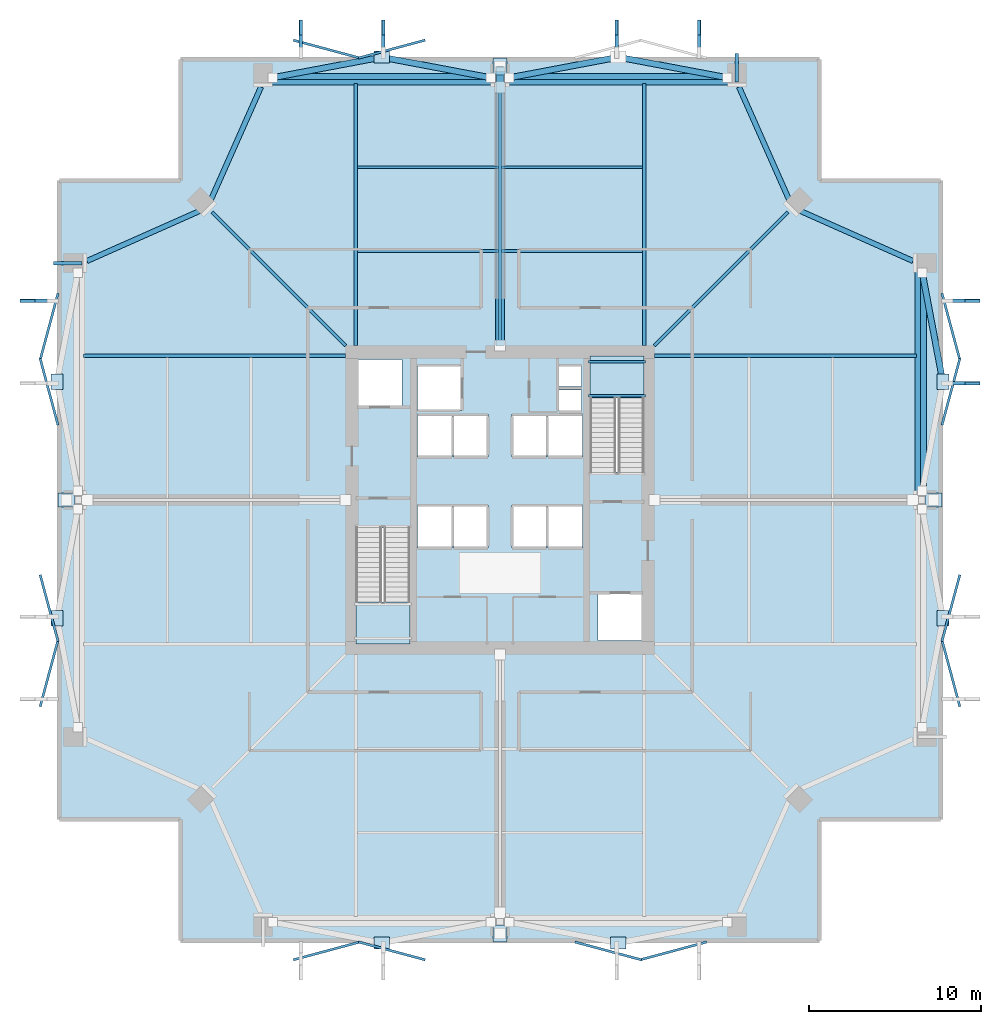
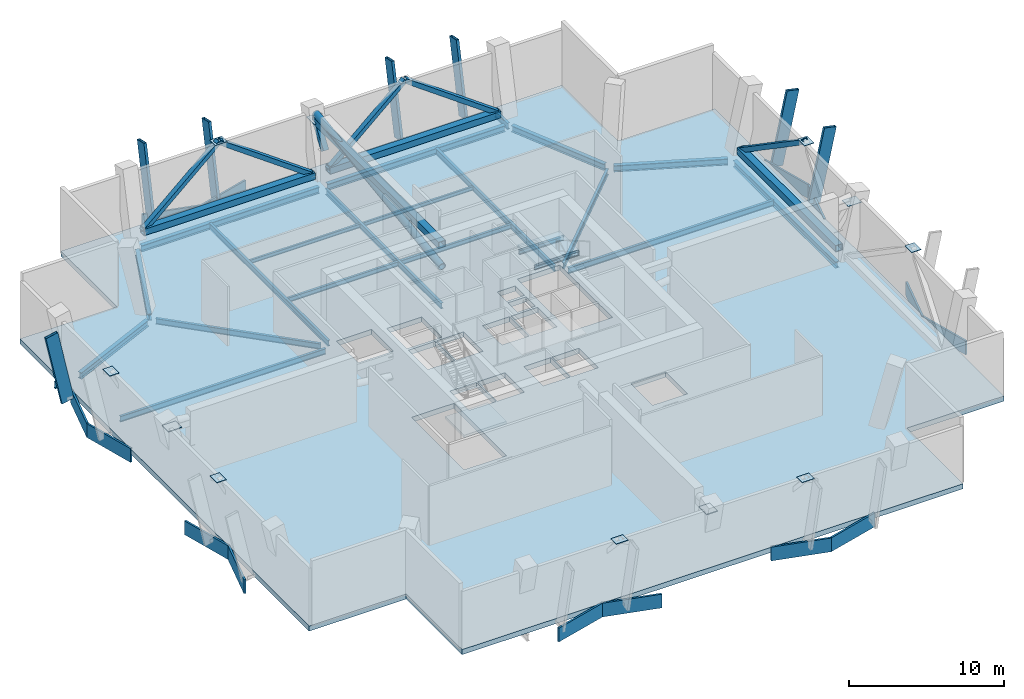
# One storey, part 2 of 6: 26 beams, 25 plates, 14 members, 3 slabs, 2 elements without a shape of their own.
"""IFC4 building model written with IfcOpenShell, lengths in metres."""

from ifc_helpers import new_model, si_unit, direction, frame, origin, origin_2d, place, context, subcontext, project, spatial, polyline, rectangle, hollow_rectangle, hollow_circle, i_section, outline, extrude, material, layer, layer_set, material_profile, profile_set, type_object, element, aggregate, save


model = new_model("IFC4")

# Units and contexts
model_context = context("Model", 3, precision=1e-05, world=origin(), true_north=direction((0.0, 1.0)))
body_context = subcontext(model_context, "Body", "Model", "MODEL_VIEW")
ifc_project = project(units=[si_unit("LENGTHUNIT", "METRE"), si_unit("AREAUNIT", "SQUARE_METRE"), si_unit("VOLUMEUNIT", "CUBIC_METRE"), si_unit("PLANEANGLEUNIT", "RADIAN"), si_unit("MASSUNIT", "GRAM", prefix="KILO")], contexts=[model_context])

# Site, building, storey
site_placement = place(None, origin())
site = spatial("IfcSite", under=ifc_project, at=site_placement, CompositionType="ELEMENT")
building_placement = place(site_placement, origin())
building = spatial("IfcBuilding", under=site, at=building_placement, Name="Belovzor Exchange Tower", CompositionType="ELEMENT")
storey_placement = place(building_placement, frame((0.0, 0.0, 194.550048828125)))
storey = spatial("IfcBuildingStorey", under=building, at=storey_placement, Name="L48", CompositionType="ELEMENT", Elevation=194.550048828125)

# Members
ifc_material_1 = material(Name="Steel S460", Category="steel")
ifc_material_profile_1 = material_profile(ifc_material_1, hollow_rectangle(XDim=0.35009765625, YDim=0.35009765625, WallThickness=0.01611328125, at=origin_2d()))
ifc_profile_set_1 = profile_set([ifc_material_profile_1], Name="Steel S460")
member_type_1 = type_object("IfcMemberType", Name="Belt Truss Web Diagonal SHS 350x350x16", PredefinedType="BRACE", material=ifc_profile_set_1)
for number, where, z_axis, x_axis, name in (
    (1, (54.60009765625, 35.699951171875, 4.550048828125), (-0.156817938787, 0.829705978002, -0.535720192025), (-0.98260342557, -0.185716203003, 0.0), "BD-350 Belt Truss Web Diagonal SHS 350x350x16"),
    (2, (42.050048828125, 53.39990234375, 0.449951171875), (-0.829705978002, 0.156817938787, 0.535720192025), (-0.185716203003, -0.98260342557, 0.0), "BD-350 Belt Truss Web Diagonal SHS 350x350x16"),
    (3, (35.699951171875, 54.60009765625, 4.550048828125), (-0.829696038106, -0.156822089405, -0.535734371331), (0.18572309717, -0.982602122518, 0.0), "BD-350 Belt Truss Web Diagonal SHS 350x350x16"),
    (4, (28.25, 53.39990234375, 0.449951171875), (-0.829705978002, 0.156817938787, 0.535720192025), (-0.185716203003, -0.98260342557, 0.0), "BD-350 Belt Truss Web Diagonal SHS 350x350x16"),
    (5, (21.89990234375, 54.60009765625, 4.550048828125), (-0.829696038106, -0.156822089405, -0.535734371331), (0.18572309717, -0.982602122518, 0.0), "BD-350 Belt Truss Web Diagonal SHS 350x350x16"),
):
    element("IfcMember", number, at=place(storey_placement, frame(where, z_axis=z_axis, x_axis=x_axis)), inside=storey, type_object=member_type_1, Name=name, PredefinedType="BRACE", context=body_context, shape_type="SweptSolid", body=[
        extrude(hollow_rectangle(XDim=0.35009765625, YDim=0.35009765625, WallThickness=0.01611328125, at=origin_2d()), origin(), (0.0, 0.0, 1.0), 7.6533203125),
    ])

# Beams
ifc_material_2 = material(Name="Steel S460", Category="steel")
ifc_material_profile_2 = material_profile(ifc_material_2, hollow_rectangle(XDim=0.5, YDim=0.5, WallThickness=0.02490234375, at=origin_2d()))
ifc_profile_set_2 = profile_set([ifc_material_profile_2], Name="Steel S460")
beam_type_1 = type_object("IfcBeamType", Name="Perimeter Belt Truss Chord SHS 500x500x25", PredefinedType="BEAM", material=ifc_profile_set_2)
for number, where, z_axis, x_axis, name in (
    (6, (53.39990234375, 29.35009765625, 0.449951171875), (0.0, 1.0, 0.0), (-1.0, 0.0, 0.0), "BT-500 Perimeter Belt Truss Chord SHS 500x500x25"),
    (7, (42.050048828125, 53.39990234375, 0.449951171875), (-1.0, 0.0, 0.0), (0.0, -1.0, 0.0), "BT-500 Perimeter Belt Truss Chord SHS 500x500x25"),
    (8, (28.25, 53.39990234375, 0.449951171875), (-1.0, 0.0, 0.0), (0.0, -1.0, 0.0), "BT-500 Perimeter Belt Truss Chord SHS 500x500x25"),
):
    element("IfcBeam", number, at=place(storey_placement, frame(where, z_axis=z_axis, x_axis=x_axis)), inside=storey, type_object=beam_type_1, Name=name, PredefinedType="BEAM", context=body_context, shape_type="SweptSolid", body=[
        extrude(hollow_rectangle(XDim=0.5, YDim=0.5, WallThickness=0.02490234375, at=origin_2d()), origin(), (0.0, 0.0, 1.0), 12.699951171875),
    ])
ifc_material_3 = material(Name="Steel S355", Category="steel")
ifc_material_profile_3 = material_profile(ifc_material_3, i_section(OverallWidth=0.199951171875, OverallDepth=0.5, WebThickness=0.01025390625, FlangeThickness=0.01611328125, at=origin_2d()))
ifc_profile_set_3 = profile_set([ifc_material_profile_3], Name="Steel S355")
beam_type_2 = type_object("IfcBeamType", Name="Planted Balcony Cantilever Beam IPE 500", PredefinedType="BEAM", material=ifc_profile_set_3)
beam_1_placement = place(storey_placement, frame((42.60009765625, 53.139892578125, -0.650146484375), z_axis=(0.0, 1.0, 0.0), x_axis=(-1.0, 0.0, 0.0)))
element("IfcBeam", 9, at=beam_1_placement, inside=storey, type_object=beam_type_2, Name="BC-500 Planted Balcony Cantilever Beam IPE 500", PredefinedType="BEAM", context=body_context, shape_type="SweptSolid", body=[
    extrude(i_section(OverallWidth=0.199951171875, OverallDepth=0.5, WebThickness=0.01025390625, FlangeThickness=0.01611328125, at=origin_2d()), origin(), (0.0, 0.0, 1.0), 1.66015625),
])
beam_2_placement = place(storey_placement, frame((4.4599609375, 42.60009765625, -0.650146484375), z_axis=(-1.0, 0.0, 0.0), x_axis=(0.0, -1.0, 0.0)))
element("IfcBeam", 10, at=beam_2_placement, inside=storey, type_object=beam_type_2, Name="BC-500 Planted Balcony Cantilever Beam IPE 500", PredefinedType="BEAM", context=body_context, shape_type="SweptSolid", body=[
    extrude(i_section(OverallWidth=0.199951171875, OverallDepth=0.5, WebThickness=0.01025390625, FlangeThickness=0.01611328125, at=origin_2d()), origin(), (0.0, 0.0, 1.0), 1.659912109375),
])
ifc_material_4 = material(Name="Steel S355", Category="steel")
ifc_material_profile_4 = material_profile(ifc_material_4, i_section(OverallWidth=0.169921875, OverallDepth=0.360107421875, WebThickness=0.008056640625, FlangeThickness=0.0126953125, at=origin_2d()))
ifc_profile_set_4 = profile_set([ifc_material_profile_4], Name="Steel S355")
beam_type_3 = type_object("IfcBeamType", Name="Secondary Infill Floor Joist IPE 360", PredefinedType="BEAM", material=ifc_profile_set_4)
for number, where, z_axis, x_axis, name in (
    (11, (20.4951171875, 43.294921875, -0.580078125), (1.0, 0.0, 0.0), (0.0, 1.0, 0.0), "FJ-360 Secondary Infill Floor Joist IPE 360"),
    (12, (28.89501953125, 43.294921875, -0.580078125), (1.0, 0.0, 0.0), (0.0, 1.0, 0.0), "FJ-360 Secondary Infill Floor Joist IPE 360"),
):
    element("IfcBeam", number, at=place(storey_placement, frame(where, z_axis=z_axis, x_axis=x_axis)), inside=storey, type_object=beam_type_3, Name=name, PredefinedType="BEAM", context=body_context, shape_type="SweptSolid", body=[
        extrude(i_section(OverallWidth=0.169921875, OverallDepth=0.360107421875, WebThickness=0.008056640625, FlangeThickness=0.0126953125, at=origin_2d()), origin(), (0.0, 0.0, 1.0), 8.2099609375),
    ])
ifc_material_5 = material(Name="Steel S355", Category="steel")
ifc_material_profile_5 = material_profile(ifc_material_5, i_section(OverallWidth=0.14990234375, OverallDepth=0.300048828125, WebThickness=0.007080078125, FlangeThickness=0.0107421875, at=origin_2d()))
ifc_profile_set_5 = profile_set([ifc_material_profile_5], Name="Steel S355")
beam_type_4 = type_object("IfcBeamType", Name="Secondary Trim Floor Joist IPE 300", PredefinedType="BEAM", material=ifc_profile_set_5)
for number, where, z_axis, x_axis, name in (
    (13, (37.280029296875, 34.8701171875, 2.349853515625), (-1.0, 0.0, 0.0), (0.0, -1.0, 0.0), "FJ-300 Secondary Trim Floor Joist IPE 300"),
    (14, (37.280029296875, 36.85009765625, 2.349853515625), (-1.0, 0.0, 0.0), (0.0, -1.0, 0.0), "FJ-300 Secondary Trim Floor Joist IPE 300"),
):
    element("IfcBeam", number, at=place(storey_placement, frame(where, z_axis=z_axis, x_axis=x_axis)), inside=storey, type_object=beam_type_4, Name=name, PredefinedType="BEAM", context=body_context, shape_type="SweptSolid", body=[
        extrude(i_section(OverallWidth=0.14990234375, OverallDepth=0.300048828125, WebThickness=0.007080078125, FlangeThickness=0.0107421875, at=origin_2d()), origin(), (0.0, 0.0, 1.0), 3.31005859375),
    ])
for number, where, z_axis, x_axis, name in (
    (15, (20.4951171875, 48.179931640625, -0.550048828125), (1.0, 0.0, 0.0), (0.0, 1.0, 0.0), "FJ-300 Secondary Trim Floor Joist IPE 300"),
    (16, (28.89501953125, 48.179931640625, -0.550048828125), (1.0, 0.0, 0.0), (0.0, 1.0, 0.0), "FJ-300 Secondary Trim Floor Joist IPE 300"),
):
    element("IfcBeam", number, at=place(storey_placement, frame(where, z_axis=z_axis, x_axis=x_axis)), inside=storey, type_object=beam_type_4, Name=name, PredefinedType="BEAM", context=body_context, shape_type="SweptSolid", body=[
        extrude(i_section(OverallWidth=0.14990234375, OverallDepth=0.300048828125, WebThickness=0.007080078125, FlangeThickness=0.0107421875, at=origin_2d()), origin(), (0.0, 0.0, 1.0), 8.2099609375),
    ])

# Members
ifc_material_6 = material(Name="Extruded Architectural Terracotta on Steel S355 Carrier", Category="masonry")
ifc_material_profile_6 = material_profile(ifc_material_6, hollow_rectangle(XDim=0.199951171875, YDim=0.89990234375, WallThickness=0.011962890625, at=origin_2d()))
ifc_profile_set_6 = profile_set([ifc_material_profile_6], Name="Extruded Architectural Terracotta on Steel S355 Carrier")
member_type_2 = type_object("IfcMemberType", Name="Sweeping Terracotta Baguette Fin Assembly 950", PredefinedType="USERDEFINED", material=ifc_profile_set_6)
for number, where, z_axis, x_axis, name in (
    (17, (17.199951171875, 55.125, -0.400146484375), (0.0, 0.211322801242, 0.977416325664), (-1.0, 0.0, 0.0), "FIN-TC095 Terracotta Facade Fin L48 N1"),
    (18, (22.0, 55.125, -0.400146484375), (0.0, 0.211322801242, 0.977416325664), (-1.0, 0.0, 0.0), "FIN-TC095 Terracotta Facade Fin L48 N2"),
    (19, (35.60009765625, 55.125, -0.400146484375), (0.0, 0.211322801242, 0.977416325664), (-1.0, 0.0, 0.0), "FIN-TC095 Terracotta Facade Fin L48 N3"),
    (20, (55.125, 35.60009765625, -0.400146484375), (0.211322801242, 0.0, 0.977416325664), (0.0, 1.0, 0.0), "FIN-TC095 Terracotta Facade Fin L48 E3"),
    (21, (40.39990234375, 55.125, -0.400146484375), (0.0, 0.211322801242, 0.977416325664), (-1.0, 0.0, 0.0), "FIN-TC095 Terracotta Facade Fin L48 N4"),
    (22, (2.47509765625, 40.39990234375, -0.400146484375), (-0.211363876103, 0.0, 0.97740744415), (0.0, -1.0, 0.0), "FIN-TC095 Terracotta Facade Fin L48 W4"),
    (23, (55.125, 40.39990234375, -0.400146484375), (0.211322801242, 0.0, 0.977416325664), (0.0, 1.0, 0.0), "FIN-TC095 Terracotta Facade Fin L48 E4"),
):
    element("IfcMember", number, at=place(storey_placement, frame(where, z_axis=z_axis, x_axis=x_axis)), inside=storey, type_object=member_type_2, Name=name, ObjectType="FIN", PredefinedType="USERDEFINED", context=body_context, shape_type="SweptSolid", body=[
        extrude(hollow_rectangle(XDim=0.199951171875, YDim=0.89990234375, WallThickness=0.011962890625, at=origin_2d()), origin(), (0.0, 0.0, 1.0), 5.67822265625),
    ])
ifc_material_7 = material(Name="Steel S460", Category="steel")
ifc_material_profile_7 = material_profile(ifc_material_7, hollow_rectangle(XDim=0.39990234375, YDim=0.39990234375, WallThickness=0.02001953125, at=origin_2d()))
ifc_profile_set_7 = profile_set([ifc_material_profile_7], Name="Steel S460")
member_type_3 = type_object("IfcMemberType", Name="Waist Flare Cantilever Truss Diagonal SHS 400x400x20", PredefinedType="BRACE", material=ifc_profile_set_7)
member_1_placement = place(storey_placement, frame((28.800048828125, 52.85009765625, 2.449951171875), z_axis=(0.0, 0.5655127034, 0.824739584531), x_axis=(-1.0, 0.0, 0.0)))
element("IfcMember", 24, at=member_1_placement, inside=storey, type_object=member_type_3, Name="TD-400 Waist Flare Cantilever Truss Diagonal SHS 400x400x20", PredefinedType="BRACE", context=body_context, shape_type="SweptSolid", body=[
    extrude(hollow_rectangle(XDim=0.39990234375, YDim=0.39990234375, WallThickness=0.02001953125, at=origin_2d()), origin(), (0.0, 0.0, 1.0), 2.121826171875),
])

# Beam
ifc_material_8 = material(Name="Steel S460", Category="steel")
ifc_material_profile_8 = material_profile(ifc_material_8, hollow_rectangle(XDim=0.5, YDim=0.5, WallThickness=0.02490234375, at=origin_2d()))
ifc_profile_set_8 = profile_set([ifc_material_profile_8], Name="Steel S460")
beam_type_5 = type_object("IfcBeamType", Name="Waist Flare Transfer Truss Chord SHS 500x500x25", PredefinedType="BEAM", material=ifc_profile_set_8)
beam_3_placement = place(storey_placement, frame((28.800048828125, 37.800048828125, 4.199951171875), z_axis=(0.0, 1.0, 0.0), x_axis=(-1.0, 0.0, 0.0)))
element("IfcBeam", 25, at=beam_3_placement, inside=storey, type_object=beam_type_5, Name="TC-600 Waist Flare Transfer Truss Chord SHS 500x500x25", PredefinedType="BEAM", context=body_context, shape_type="SweptSolid", body=[
    extrude(hollow_rectangle(XDim=0.5, YDim=0.5, WallThickness=0.02490234375, at=origin_2d()), origin(), (0.0, 0.0, 1.0), 16.25),
])

# Member
ifc_material_9 = material(Name="Steel S460", Category="steel")
ifc_material_profile_9 = material_profile(ifc_material_9, hollow_circle(Radius=0.25390625, WallThickness=0.02490234375, at=origin_2d()))
ifc_profile_set_9 = profile_set([ifc_material_profile_9], Name="Steel S460")
member_type_4 = type_object("IfcMemberType", Name="Waist Outrigger Tubular Strut CHS 508x25", PredefinedType="STRUT", material=ifc_profile_set_9)
member_2_placement = place(storey_placement, frame((28.800048828125, 37.800048828125, 2.449951171875), z_axis=(0.0, 0.990959986926, 0.134157759047), x_axis=(-1.0, 0.0, 0.0)))
element("IfcMember", 26, at=member_2_placement, inside=storey, type_object=member_type_4, Name="OS-457 Waist Outrigger Tubular Strut CHS 508x25", PredefinedType="STRUT", context=body_context, shape_type="SweptSolid", body=[
    extrude(hollow_circle(Radius=0.25390625, WallThickness=0.02490234375, at=origin_2d()), origin(), (0.0, 0.0, 1.0), 16.398193359375),
])

# Beams
ifc_material_10 = material(Name="Steel S355", Category="steel")
ifc_material_profile_10 = material_profile(ifc_material_10, i_section(OverallWidth=0.18994140625, OverallDepth=0.449951171875, WebThickness=0.009521484375, FlangeThickness=0.0146484375, at=origin_2d()))
ifc_profile_set_10 = profile_set([ifc_material_profile_10], Name="Steel S355")
beam_type_6 = type_object("IfcBeamType", Name="Zone 2-4 Radial Composite Floor Beam IPE 450", PredefinedType="BEAM", material=ifc_profile_set_10)
beam_4_placement = place(storey_placement, frame((20.39990234375, 37.800048828125, -0.625), z_axis=(0.0, 1.0, 0.0), x_axis=(-1.0, 0.0, 0.0)))
element("IfcBeam", 27, at=beam_4_placement, inside=storey, type_object=beam_type_6, Name="FB-450 Zone 2-4 Radial Composite Floor Beam IPE 450", PredefinedType="BEAM", context=body_context, shape_type="SweptSolid", body=[
    extrude(i_section(OverallWidth=0.18994140625, OverallDepth=0.449951171875, WebThickness=0.009521484375, FlangeThickness=0.0146484375, at=origin_2d()), origin(), (0.0, 0.0, 1.0), 15.264892578125),
])
beam_5_placement = place(storey_placement, frame((28.800048828125, 37.800048828125, -0.625), z_axis=(0.0, 1.0, 0.0), x_axis=(-1.0, 0.0, 0.0)))
element("IfcBeam", 28, at=beam_5_placement, inside=storey, type_object=beam_type_6, Name="FB-450 Zone 2-4 Radial Composite Floor Beam IPE 450", PredefinedType="BEAM", context=body_context, shape_type="SweptSolid", body=[
    extrude(i_section(OverallWidth=0.18994140625, OverallDepth=0.449951171875, WebThickness=0.009521484375, FlangeThickness=0.0146484375, at=origin_2d()), origin(), (0.0, 0.0, 1.0), 14.865966796875),
])
beam_6_placement = place(storey_placement, frame((37.199951171875, 37.800048828125, -0.625), z_axis=(0.0, 1.0, 0.0), x_axis=(-1.0, 0.0, 0.0)))
element("IfcBeam", 29, at=beam_6_placement, inside=storey, type_object=beam_type_6, Name="FB-450 Zone 2-4 Radial Composite Floor Beam IPE 450", PredefinedType="BEAM", context=body_context, shape_type="SweptSolid", body=[
    extrude(i_section(OverallWidth=0.18994140625, OverallDepth=0.449951171875, WebThickness=0.009521484375, FlangeThickness=0.0146484375, at=origin_2d()), origin(), (0.0, 0.0, 1.0), 15.264892578125),
])
beam_7_placement = place(storey_placement, frame((19.800048828125, 37.199951171875, -0.625), z_axis=(-1.0, 0.0, 0.0), x_axis=(0.0, -1.0, 0.0)))
element("IfcBeam", 30, at=beam_7_placement, inside=storey, type_object=beam_type_6, Name="FB-450 Zone 2-4 Radial Composite Floor Beam IPE 450", PredefinedType="BEAM", context=body_context, shape_type="SweptSolid", body=[
    extrude(i_section(OverallWidth=0.18994140625, OverallDepth=0.449951171875, WebThickness=0.009521484375, FlangeThickness=0.0146484375, at=origin_2d()), origin(), (0.0, 0.0, 1.0), 15.26513671875),
])
beam_8_placement = place(storey_placement, frame((37.800048828125, 37.199951171875, -0.625), z_axis=(1.0, 0.0, 0.0), x_axis=(0.0, 1.0, 0.0)))
element("IfcBeam", 31, at=beam_8_placement, inside=storey, type_object=beam_type_6, Name="FB-450 Zone 2-4 Radial Composite Floor Beam IPE 450", PredefinedType="BEAM", context=body_context, shape_type="SweptSolid", body=[
    extrude(i_section(OverallWidth=0.18994140625, OverallDepth=0.449951171875, WebThickness=0.009521484375, FlangeThickness=0.0146484375, at=origin_2d()), origin(), (0.0, 0.0, 1.0), 15.264892578125),
])
beam_9_placement = place(storey_placement, frame((37.800048828125, 37.800048828125, -0.625), z_axis=(0.707106781187, 0.707106781187, 0.0), x_axis=(-0.707106781187, 0.707106781187, 0.0)))
element("IfcBeam", 32, at=beam_9_placement, inside=storey, type_object=beam_type_6, Name="FB-450 Zone 2-4 Radial Composite Floor Beam IPE 450", PredefinedType="BEAM", context=body_context, shape_type="SweptSolid", body=[
    extrude(i_section(OverallWidth=0.18994140625, OverallDepth=0.449951171875, WebThickness=0.009521484375, FlangeThickness=0.0146484375, at=origin_2d()), origin(), (0.0, 0.0, 1.0), 10.98388671875),
])
beam_10_placement = place(storey_placement, frame((19.800048828125, 37.800048828125, -0.625), z_axis=(-0.707117894412, 0.707095667786, 0.0), x_axis=(-0.707095667786, -0.707117894412, 0.0)))
element("IfcBeam", 33, at=beam_10_placement, inside=storey, type_object=beam_type_6, Name="FB-450 Zone 2-4 Radial Composite Floor Beam IPE 450", PredefinedType="BEAM", context=body_context, shape_type="SweptSolid", body=[
    extrude(i_section(OverallWidth=0.18994140625, OverallDepth=0.449951171875, WebThickness=0.009521484375, FlangeThickness=0.0146484375, at=origin_2d()), origin(), (0.0, 0.0, 1.0), 10.984130859375),
])
ifc_material_11 = material(Name="Steel S355", Category="steel")
ifc_material_profile_11 = material_profile(ifc_material_11, i_section(OverallWidth=0.300048828125, OverallDepth=0.5, WebThickness=0.014404296875, FlangeThickness=0.028076171875, at=origin_2d()))
ifc_profile_set_11 = profile_set([ifc_material_profile_11], Name="Steel S355")
beam_type_7 = type_object("IfcBeamType", Name="Zone 3 Waist Primary Girder HEB 500", PredefinedType="BEAM", material=ifc_profile_set_11)
beam_11_placement = place(storey_placement, frame((53.139892578125, 29.10205078125, -0.650146484375), z_axis=(0.0, 1.0, 0.0), x_axis=(-1.0, 0.0, 0.0)))
element("IfcBeam", 34, at=beam_11_placement, inside=storey, type_object=beam_type_7, Name="FG-Z3 Zone 3 Waist Primary Girder HEB 500", PredefinedType="BEAM", context=body_context, shape_type="SweptSolid", body=[
    extrude(i_section(OverallWidth=0.300048828125, OverallDepth=0.5, WebThickness=0.014404296875, FlangeThickness=0.028076171875, at=origin_2d()), origin(), (0.0, 0.0, 1.0), 13.195068359375),
])
for number, where, z_axis, x_axis, name in (
    (35, (52.864013671875, 42.722900390625, -0.650146484375), (-0.913920628116, 0.40589294833, 0.0), (-0.40589294833, -0.913920628116, 0.0), "FG-Z3 Zone 3 Waist Primary Girder HEB 500"),
    (36, (45.718994140625, 46.117919921875, -0.650146484375), (-0.40589294833, 0.913920628116, 0.0), (-0.913920628116, -0.40589294833, 0.0), "FG-Z3 Zone 3 Waist Primary Girder HEB 500"),
):
    element("IfcBeam", number, at=place(storey_placement, frame(where, z_axis=z_axis, x_axis=x_axis)), inside=storey, type_object=beam_type_7, Name=name, PredefinedType="BEAM", context=body_context, shape_type="SweptSolid", body=[
        extrude(i_section(OverallWidth=0.300048828125, OverallDepth=0.5, WebThickness=0.014404296875, FlangeThickness=0.028076171875, at=origin_2d()), origin(), (0.0, 0.0, 1.0), 7.381591796875),
    ])
for number, where, z_axis, x_axis, name in (
    (37, (42.297119140625, 53.139892578125, -0.650146484375), (-1.0, 0.0, 0.0), (0.0, -1.0, 0.0), "FG-Z3 Zone 3 Waist Primary Girder HEB 500"),
    (38, (28.498046875, 53.139892578125, -0.650146484375), (-1.0, 0.0, 0.0), (0.0, -1.0, 0.0), "FG-Z3 Zone 3 Waist Primary Girder HEB 500"),
):
    element("IfcBeam", number, at=place(storey_placement, frame(where, z_axis=z_axis, x_axis=x_axis)), inside=storey, type_object=beam_type_7, Name=name, PredefinedType="BEAM", context=body_context, shape_type="SweptSolid", body=[
        extrude(i_section(OverallWidth=0.300048828125, OverallDepth=0.5, WebThickness=0.014404296875, FlangeThickness=0.028076171875, at=origin_2d()), origin(), (0.0, 0.0, 1.0), 13.195068359375),
    ])
for number, where, z_axis, x_axis, name in (
    (39, (14.876953125, 52.864013671875, -0.650146484375), (-0.405865322084, -0.913932897061, 0.0), (0.913932897061, -0.405865322084, 0.0), "FG-Z3 Zone 3 Waist Primary Girder HEB 500"),
    (40, (11.48193359375, 45.718994140625, -0.650146484375), (-0.913915178839, -0.405905217861, 0.0), (0.405905217861, -0.913915178839, 0.0), "FG-Z3 Zone 3 Waist Primary Girder HEB 500"),
):
    element("IfcBeam", number, at=place(storey_placement, frame(where, z_axis=z_axis, x_axis=x_axis)), inside=storey, type_object=beam_type_7, Name=name, PredefinedType="BEAM", context=body_context, shape_type="SweptSolid", body=[
        extrude(i_section(OverallWidth=0.300048828125, OverallDepth=0.5, WebThickness=0.014404296875, FlangeThickness=0.028076171875, at=origin_2d()), origin(), (0.0, 0.0, 1.0), 7.38134765625),
    ])

# Plates
ifc_material_12 = material(Name="Steel S460", Category="steel")
ifc_layer_1 = layer(ifc_material_12, 0.031982421875)
ifc_layer_set_1 = layer_set([ifc_layer_1], Name="Steel S460")
plate_type_1 = type_object("IfcPlateType", Name="Belt Truss Chord Node Gusset Plate 900x700x32", PredefinedType="SHEET", material=ifc_layer_set_1)
for number, where, z_axis, x_axis, name in (
    (41, (21.89990234375, 3.0, 4.5341796875), (0.0, 0.0, 1.0), (1.0, 0.0, 0.0), "KN-3 Belt Truss Chord Node Gusset Plate 900x700x32"),
    (42, (35.699951171875, 3.0, 4.5341796875), (0.0, 0.0, 1.0), (1.0, 0.0, 0.0), "KN-3 Belt Truss Chord Node Gusset Plate 900x700x32"),
    (43, (54.60009765625, 21.89990234375, 4.5341796875), (0.0, 0.0, 1.0), (0.0, 1.0, 0.0), "KN-3 Belt Truss Chord Node Gusset Plate 900x700x32"),
    (44, (54.60009765625, 35.699951171875, 4.5341796875), (0.0, 0.0, 1.0), (0.0, 1.0, 0.0), "KN-3 Belt Truss Chord Node Gusset Plate 900x700x32"),
    (45, (21.89990234375, 54.60009765625, 4.5341796875), (0.0, 0.0, 1.0), (1.0, 0.0, 0.0), "KN-3 Belt Truss Chord Node Gusset Plate 900x700x32"),
    (46, (3.0, 35.699951171875, 4.5341796875), (0.0, 0.0, 1.0), (0.0, 1.0, 0.0), "KN-3 Belt Truss Chord Node Gusset Plate 900x700x32"),
    (47, (3.0, 21.89990234375, 4.5341796875), (0.0, 0.0, 1.0), (0.0, 1.0, 0.0), "KN-3 Belt Truss Chord Node Gusset Plate 900x700x32"),
):
    element("IfcPlate", number, at=place(storey_placement, frame(where, z_axis=z_axis, x_axis=x_axis)), inside=storey, type_object=plate_type_1, Name=name, PredefinedType="SHEET", context=body_context, shape_type="SweptSolid", body=[
        extrude(rectangle(XDim=0.89990234375, YDim=0.699951171875, at=origin_2d()), origin(), (0.0, 0.0, 1.0), 0.031982421875),
    ])
ifc_material_13 = material(Name="Extruded Architectural Terracotta", Category="masonry")
ifc_layer_2 = layer(ifc_material_13, 0.139892578125)
ifc_layer_set_2 = layer_set([ifc_layer_2], Name="Extruded Architectural Terracotta")
plate_type_2 = type_object("IfcPlateType", Name="Mid-Tower Folded Zigzag Terracotta Spandrel Louvre 120", PredefinedType="USERDEFINED", material=ifc_layer_set_2)
for number, where, z_axis, x_axis, name in (
    (48, (18.699951171875, 2.530029296875, -1.065185546875), (0.0, 0.0, 1.0), (0.965812803231, 0.259240485101, 0.0), "LVR-ZZ2 Zigzag Terracotta Spandrel Louvre L48 S1A"),
    (49, (22.5, 2.530029296875, -1.065185546875), (0.0, 0.0, 1.0), (0.965812803231, -0.259240485101, 0.0), "LVR-ZZ2 Zigzag Terracotta Spandrel Louvre L48 S1B"),
    (50, (18.699951171875, 55.070068359375, -1.065185546875), (0.0, 0.0, 1.0), (0.965812803231, -0.259240485101, 0.0), "LVR-ZZ2 Zigzag Terracotta Spandrel Louvre L48 N1A"),
    (51, (22.5, 55.070068359375, -1.065185546875), (0.0, 0.0, 1.0), (0.965812803231, 0.259240485101, 0.0), "LVR-ZZ2 Zigzag Terracotta Spandrel Louvre L48 N1B"),
    (52, (2.530029296875, 18.699951171875, -1.065185546875), (0.0, 0.0, 1.0), (0.259240485101, 0.965812803231, 0.0), "LVR-ZZ2 Zigzag Terracotta Spandrel Louvre L48 W1A"),
    (53, (2.530029296875, 22.5, -1.065185546875), (0.0, 0.0, 1.0), (-0.259240485101, 0.965812803231, 0.0), "LVR-ZZ2 Zigzag Terracotta Spandrel Louvre L48 W1B"),
    (54, (55.070068359375, 18.699951171875, -1.065185546875), (0.0, 0.0, 1.0), (-0.259240485101, 0.965812803231, 0.0), "LVR-ZZ2 Zigzag Terracotta Spandrel Louvre L48 E1A"),
    (55, (55.070068359375, 22.5, -1.065185546875), (0.0, 0.0, 1.0), (0.259240485101, 0.965812803231, 0.0), "LVR-ZZ2 Zigzag Terracotta Spandrel Louvre L48 E1B"),
    (56, (35.10009765625, 2.530029296875, -1.065185546875), (0.0, 0.0, 1.0), (0.965812803231, -0.259240485101, 0.0), "LVR-ZZ2 Zigzag Terracotta Spandrel Louvre L48 S2A"),
    (57, (38.89990234375, 2.530029296875, -1.065185546875), (0.0, 0.0, 1.0), (0.965812803231, 0.259240485101, 0.0), "LVR-ZZ2 Zigzag Terracotta Spandrel Louvre L48 S2B"),
    (58, (2.530029296875, 35.10009765625, -1.065185546875), (0.0, 0.0, 1.0), (-0.259240485101, 0.965812803231, 0.0), "LVR-ZZ2 Zigzag Terracotta Spandrel Louvre L48 W2A"),
    (59, (2.530029296875, 38.89990234375, -1.065185546875), (0.0, 0.0, 1.0), (0.259240485101, 0.965812803231, 0.0), "LVR-ZZ2 Zigzag Terracotta Spandrel Louvre L48 W2B"),
    (60, (55.070068359375, 35.10009765625, -1.065185546875), (0.0, 0.0, 1.0), (0.259240485101, 0.965812803231, 0.0), "LVR-ZZ2 Zigzag Terracotta Spandrel Louvre L48 E2A"),
    (61, (55.070068359375, 38.89990234375, -1.065185546875), (0.0, 0.0, 1.0), (-0.259240485101, 0.965812803231, 0.0), "LVR-ZZ2 Zigzag Terracotta Spandrel Louvre L48 E2B"),
):
    element("IfcPlate", number, at=place(storey_placement, frame(where, z_axis=z_axis, x_axis=x_axis)), inside=storey, type_object=plate_type_2, Name=name, ObjectType="SPANDREL_LOUVRE", PredefinedType="USERDEFINED", context=body_context, shape_type="SweptSolid", body=[
        extrude(rectangle(XDim=4.014892578125, YDim=0.139892578125, at=origin_2d()), origin(), (0.0, 0.0, 1.0), 1.080078125),
    ])

# Slab
ifc_material_14 = material(Name="Concrete C50/60", Category="concrete")
ifc_layer_3 = layer(ifc_material_14, 0.39990234375)
ifc_layer_set_3 = layer_set([ifc_layer_3], Name="Concrete C50/60")
slab_type_1 = type_object("IfcSlabType", Name="Reinforced Concrete Concourse Floor Slab 400", PredefinedType="FLOOR", material=ifc_layer_set_3)
slab_1_placement = place(storey_placement, frame((0.0, 0.0, -0.400146484375)))
element("IfcSlab", 62, at=slab_1_placement, inside=storey, type_object=slab_type_1, Name="SL-F400 Structural Slab L48", PredefinedType="FLOOR", context=body_context, shape_type="SweptSolid", body=[
    extrude(outline(polyline([(10.199951171875, 3.0), (47.39990234375, 3.0), (47.39990234375, 10.199951171875), (54.60009765625, 10.199951171875), (54.60009765625, 47.39990234375), (47.39990234375, 47.39990234375), (47.39990234375, 54.60009765625), (10.199951171875, 54.60009765625), (10.199951171875, 47.39990234375), (3.0, 47.39990234375), (3.0, 10.199951171875), (10.199951171875, 10.199951171875), (10.199951171875, 3.0)]), holes=[polyline([(20.39990234375, 27.175048828125), (20.39990234375, 20.39990234375), (23.550048828125, 20.39990234375), (23.550048828125, 27.175048828125), (20.39990234375, 27.175048828125)]), polyline([(37.199951171875, 30.425048828125), (37.199951171875, 37.199951171875), (34.050048828125, 37.199951171875), (34.050048828125, 30.425048828125), (37.199951171875, 30.425048828125)]), polyline([(20.5, 34.199951171875), (23.10009765625, 34.199951171875), (23.10009765625, 37.0), (20.5, 37.0), (20.5, 34.199951171875)]), polyline([(34.5, 20.60009765625), (37.10009765625, 20.60009765625), (37.10009765625, 23.39990234375), (34.5, 23.39990234375), (34.5, 20.60009765625)]), polyline([(24.0, 34.0), (26.60009765625, 34.0), (26.60009765625, 36.60009765625), (24.0, 36.60009765625), (24.0, 34.0)]), polyline([(24.0, 26.0), (26.0, 26.0), (26.0, 28.5), (24.0, 28.5), (24.0, 26.0)]), polyline([(26.10009765625, 26.0), (28.10009765625, 26.0), (28.10009765625, 28.5), (26.10009765625, 28.5), (26.10009765625, 26.0)]), polyline([(29.5, 26.0), (31.5, 26.0), (31.5, 28.5), (29.5, 28.5), (29.5, 26.0)]), polyline([(31.60009765625, 26.0), (33.60009765625, 26.0), (33.60009765625, 28.5), (31.60009765625, 28.5), (31.60009765625, 26.0)]), polyline([(24.0, 31.300048828125), (26.0, 31.300048828125), (26.0, 33.800048828125), (24.0, 33.800048828125), (24.0, 31.300048828125)]), polyline([(26.10009765625, 31.300048828125), (28.10009765625, 31.300048828125), (28.10009765625, 33.800048828125), (26.10009765625, 33.800048828125), (26.10009765625, 31.300048828125)]), polyline([(29.5, 31.300048828125), (31.5, 31.300048828125), (31.5, 33.800048828125), (29.5, 33.800048828125), (29.5, 31.300048828125)]), polyline([(31.60009765625, 31.300048828125), (33.60009765625, 31.300048828125), (33.60009765625, 33.800048828125), (31.60009765625, 33.800048828125), (31.60009765625, 31.300048828125)]), polyline([(32.199951171875, 34.0), (33.550048828125, 34.0), (33.550048828125, 35.199951171875), (32.199951171875, 35.199951171875), (32.199951171875, 34.0)]), polyline([(32.199951171875, 35.39990234375), (33.550048828125, 35.39990234375), (33.550048828125, 36.60009765625), (32.199951171875, 36.60009765625), (32.199951171875, 35.39990234375)])]), origin(), (0.0, 0.0, 1.0), 0.400146484375),
])

# Stair, slab
ifc_material_15 = material(Name="Concrete C40/50", Category="concrete")
stair_type = type_object("IfcStairType", Name="Reinforced Concrete Dogleg Escape Stair 1350", PredefinedType="HALF_TURN_STAIR", material=ifc_material_15)
stair_1_placement = place(storey_placement, origin())
stair_1 = element("IfcStair", 63, at=stair_1_placement, inside=storey, type_object=stair_type, Name="L48 ST-1", PredefinedType="HALF_TURN_STAIR")
ifc_material_16 = material(Name="Concrete C40/50", Category="concrete")
ifc_layer_4 = layer(ifc_material_16, 0.199951171875)
ifc_layer_set_4 = layer_set([ifc_layer_4], Name="Concrete C40/50")
slab_type_2 = type_object("IfcSlabType", Name="Reinforced Concrete Stair Half-Landing Slab 200", PredefinedType="LANDING", material=ifc_layer_set_4)
slab_2_placement = place(storey_placement, frame((0.0, 0.0, 2.5)))
slab_2 = element("IfcSlab", 64, at=slab_2_placement, type_object=slab_type_2, Name="ST-1 landing 1", PredefinedType="LANDING", context=body_context, shape_type="SweptSolid", body=[
    extrude(outline(polyline([(20.39990234375, 22.85009765625), (20.39990234375, 20.39990234375), (23.550048828125, 20.39990234375), (23.550048828125, 22.85009765625), (20.39990234375, 22.85009765625)])), origin(), (0.0, 0.0, 1.0), 0.199951171875),
])
aggregate(stair_1, [slab_2])

stair_2_placement = place(storey_placement, origin())
stair_2 = element("IfcStair", 65, at=stair_2_placement, inside=storey, type_object=stair_type, Name="L48 ST-2", PredefinedType="HALF_TURN_STAIR")
slab_3_placement = place(storey_placement, frame((0.0, 0.0, 2.5)))
slab_3 = element("IfcSlab", 66, at=slab_3_placement, type_object=slab_type_2, Name="ST-2 landing 1", PredefinedType="LANDING", context=body_context, shape_type="SweptSolid", body=[
    extrude(outline(polyline([(37.199951171875, 34.75), (37.199951171875, 37.199951171875), (34.050048828125, 37.199951171875), (34.050048828125, 34.75), (37.199951171875, 34.75)])), origin(), (0.0, 0.0, 1.0), 0.199951171875),
])
aggregate(stair_2, [slab_3])

# Plates
ifc_material_17 = material(Name="Steel S460", Category="steel")
ifc_layer_5 = layer(ifc_material_17, 0.035888671875)
ifc_layer_set_5 = layer_set([ifc_layer_5], Name="Steel S460")
plate_type_3 = type_object("IfcPlateType", Name="Waist Inflection Kink Node Plate 1000x800x36", PredefinedType="SHEET", material=ifc_layer_set_5)
for number, where, z_axis, x_axis, name in (
    (67, (28.800048828125, 3.550048828125, 4.18212890625), (0.0, 0.0, 1.0), (0.0, 1.0, 0.0), "KN-2 Waist Inflection Kink Node Plate 1000x800x36"),
    (68, (28.800048828125, 54.050048828125, 4.18212890625), (0.0, 0.0, 1.0), (0.0, 1.0, 0.0), "KN-2 Waist Inflection Kink Node Plate 1000x800x36"),
    (69, (3.550048828125, 28.800048828125, 4.18212890625), (0.0, 0.0, 1.0), (1.0, 0.0, 0.0), "KN-2 Waist Inflection Kink Node Plate 1000x800x36"),
    (70, (54.050048828125, 28.800048828125, 4.18212890625), (0.0, 0.0, 1.0), (1.0, 0.0, 0.0), "KN-2 Waist Inflection Kink Node Plate 1000x800x36"),
):
    element("IfcPlate", number, at=place(storey_placement, frame(where, z_axis=z_axis, x_axis=x_axis)), inside=storey, type_object=plate_type_3, Name=name, PredefinedType="SHEET", context=body_context, shape_type="SweptSolid", body=[
        extrude(rectangle(XDim=1.0, YDim=0.800048828125, at=origin_2d()), origin(), (0.0, 0.0, 1.0), 0.035888671875),
    ])

save(model, "model.ifc")
